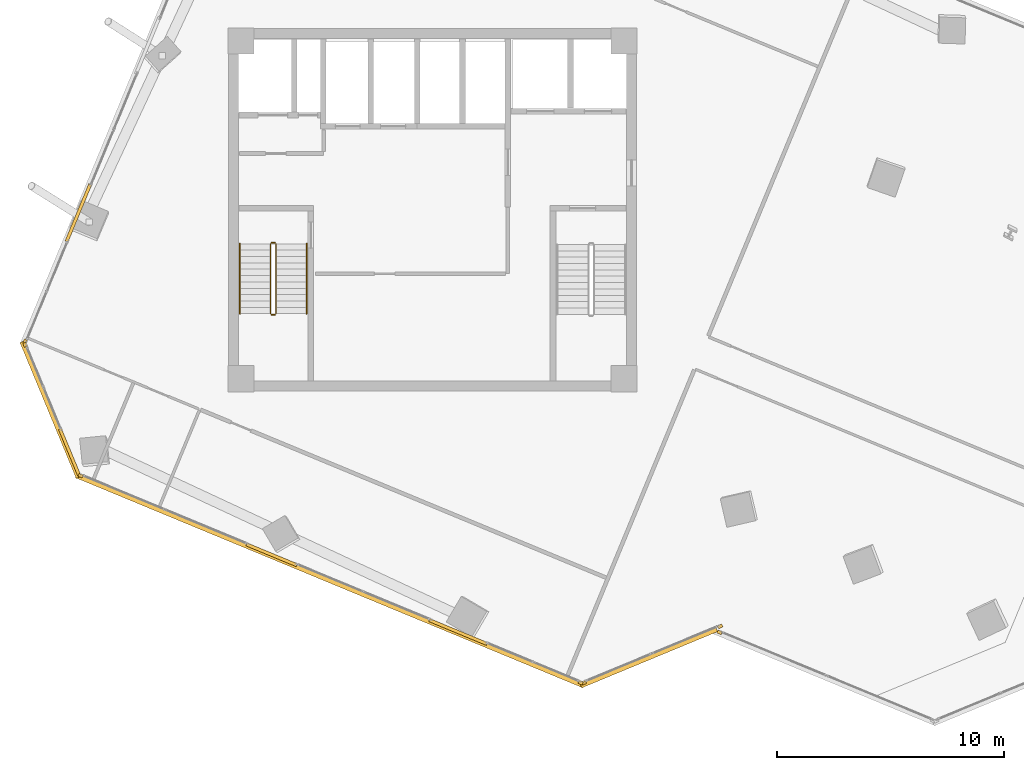
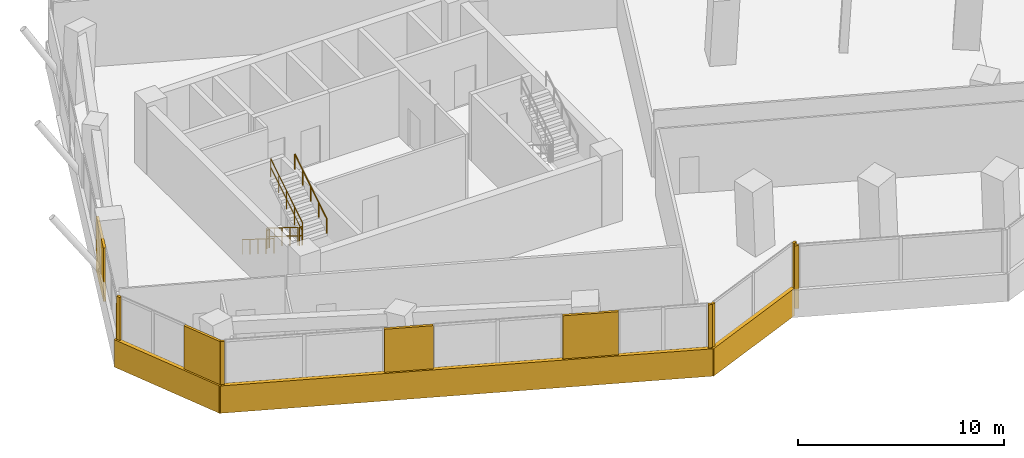
# One storey, part 19 of 22: 14 coverings, 6 railings.
"""IFC4 building model written with IfcOpenShell, lengths in metres."""

from ifc_helpers import new_model, si_unit, direction, frame, origin, origin_2d, place, context, subcontext, project, spatial, rectangle, circle, extrude, source, transform, mapped, material, layer, layer_set, type_object, element, save


model = new_model("IFC4")

# Units and contexts
model_context = context("Model", 3, precision=1e-05, world=origin(), true_north=direction((0.0, 1.0)))
body_context = subcontext(model_context, "Body", "Model", "MODEL_VIEW")
ifc_project = project(units=[si_unit("LENGTHUNIT", "METRE"), si_unit("AREAUNIT", "SQUARE_METRE"), si_unit("VOLUMEUNIT", "CUBIC_METRE"), si_unit("PLANEANGLEUNIT", "RADIAN"), si_unit("MASSUNIT", "GRAM", prefix="KILO")], contexts=[model_context])

# Site, building, storey
site_placement = place(None, origin())
site = spatial("IfcSite", under=ifc_project, at=site_placement, CompositionType="ELEMENT")
building_placement = place(site_placement, origin())
building = spatial("IfcBuilding", under=site, at=building_placement, Name="Torre Montelarca", CompositionType="ELEMENT")
storey_placement = place(building_placement, frame((0.0, 0.0, 149.800048828125)))
storey = spatial("IfcBuildingStorey", under=building, at=storey_placement, Name="L33", CompositionType="ELEMENT", Elevation=149.800048828125)

# Railings
ifc_material_1 = material(Name="Powder-coated steel ASTM A500 Grade C", Category="steel")
railing_type_1 = type_object("IfcRailingType", Name="RL-GUARD-1100", PredefinedType="BALUSTRADE", material=ifc_material_1)
railing_1_placement = place(storey_placement, frame((10.85009765625, 30.5, 0.175048828125)))
element("IfcRailing", 1, at=railing_1_placement, inside=storey, type_object=railing_type_1, Name="L33 ST1 stair guard 1", PredefinedType="BALUSTRADE", context=body_context, shape_type="SweptSolid", body=[
    extrude(circle(Radius=0.02392578125, at=origin_2d()), frame((0.0, 0.0, 1.076171875), z_axis=(0.0, -0.848028513186, 0.529950602248), x_axis=(1.0, 0.0, 0.0)), (0.0, 0.0, 1.0), 3.632080078125),
    extrude(circle(Radius=0.02099609375, at=origin_2d()), frame((0.0, 0.0, 0.572021484375), z_axis=(0.0, -0.848028513186, 0.529950602248), x_axis=(1.0, 0.0, 0.0)), (0.0, 0.0, 1.0), 3.632080078125),
    extrude(circle(Radius=0.02099609375, at=origin_2d()), origin(), (0.0, 0.0, 1.0), 1.052001953125),
    extrude(circle(Radius=0.02099609375, at=origin_2d()), frame((0.0, -0.77001953125, 0.481201171875)), (0.0, 0.0, 1.0), 1.052001953125),
    extrude(circle(Radius=0.02099609375, at=origin_2d()), frame((0.0, -1.5400390625, 0.96240234375)), (0.0, 0.0, 1.0), 1.052001953125),
    extrude(circle(Radius=0.02099609375, at=origin_2d()), frame((0.0, -2.31005859375, 1.443603515625)), (0.0, 0.0, 1.0), 1.052001953125),
    extrude(circle(Radius=0.02099609375, at=origin_2d()), frame((0.0, -3.080078125, 1.9248046875)), (0.0, 0.0, 1.0), 1.052001953125),
])
railing_2_placement = place(storey_placement, frame((10.89990234375, 27.3701171875, 2.099853515625)))
element("IfcRailing", 2, at=railing_2_placement, inside=storey, type_object=railing_type_1, Name="L33 ST1 stair guard 2", PredefinedType="BALUSTRADE", context=body_context, shape_type="SweptSolid", body=[
    extrude(circle(Radius=0.02392578125, at=origin_2d()), frame((0.0, 0.0, 1.076171875), z_axis=(1.0, 0.0, 0.0), x_axis=(0.0, 1.0, 0.0)), (0.0, 0.0, 1.0), 0.150146484375),
    extrude(circle(Radius=0.02099609375, at=origin_2d()), frame((0.0, 0.0, 0.572021484375), z_axis=(1.0, 0.0, 0.0), x_axis=(0.0, 1.0, 0.0)), (0.0, 0.0, 1.0), 0.150146484375),
    extrude(circle(Radius=0.02099609375, at=origin_2d()), origin(), (0.0, 0.0, 1.0), 1.052001953125),
    extrude(circle(Radius=0.02099609375, at=origin_2d()), frame((0.150146484375, 0.0, 0.0)), (0.0, 0.0, 1.0), 1.052001953125),
])
railing_3_placement = place(storey_placement, frame((11.10009765625, 27.419921875, 2.27490234375)))
element("IfcRailing", 3, at=railing_3_placement, inside=storey, type_object=railing_type_1, Name="L33 ST1 stair guard 3", PredefinedType="BALUSTRADE", context=body_context, shape_type="SweptSolid", body=[
    extrude(circle(Radius=0.02392578125, at=origin_2d()), frame((0.0, 0.0, 1.076171875), z_axis=(0.0, 0.847998304005, 0.529998940003), x_axis=(-1.0, 0.0, 0.0)), (0.0, 0.0, 1.0), 3.632080078125),
    extrude(circle(Radius=0.02099609375, at=origin_2d()), frame((0.0, 0.0, 0.572021484375), z_axis=(0.0, 0.847998304005, 0.529998940003), x_axis=(-1.0, 0.0, 0.0)), (0.0, 0.0, 1.0), 3.632080078125),
    extrude(circle(Radius=0.02099609375, at=origin_2d()), origin(), (0.0, 0.0, 1.0), 1.052001953125),
    extrude(circle(Radius=0.02099609375, at=origin_2d()), frame((0.0, 0.77001953125, 0.481201171875)), (0.0, 0.0, 1.0), 1.052001953125),
    extrude(circle(Radius=0.02099609375, at=origin_2d()), frame((0.0, 1.5400390625, 0.96240234375)), (0.0, 0.0, 1.0), 1.052001953125),
    extrude(circle(Radius=0.02099609375, at=origin_2d()), frame((0.0, 2.31005859375, 1.44384765625)), (0.0, 0.0, 1.0), 1.052001953125),
    extrude(circle(Radius=0.02099609375, at=origin_2d()), frame((0.0, 3.080078125, 1.925048828125)), (0.0, 0.0, 1.0), 1.052001953125),
])
railing_4_placement = place(storey_placement, frame((10.89990234375, 30.550048828125, 0.0)))
element("IfcRailing", 4, at=railing_4_placement, inside=storey, type_object=railing_type_1, Name="L33 ST1 stair guard 4", PredefinedType="BALUSTRADE", context=body_context, shape_type="SweptSolid", body=[
    extrude(circle(Radius=0.02392578125, at=origin_2d()), frame((0.0, 0.0, 1.076171875), z_axis=(1.0, 0.0, 0.0), x_axis=(0.0, 1.0, 0.0)), (0.0, 0.0, 1.0), 0.150146484375),
    extrude(circle(Radius=0.02099609375, at=origin_2d()), frame((0.0, 0.0, 0.572021484375), z_axis=(1.0, 0.0, 0.0), x_axis=(0.0, 1.0, 0.0)), (0.0, 0.0, 1.0), 0.150146484375),
    extrude(circle(Radius=0.02099609375, at=origin_2d()), origin(), (0.0, 0.0, 1.0), 1.052001953125),
    extrude(circle(Radius=0.02099609375, at=origin_2d()), frame((0.150146484375, 0.0, 0.0)), (0.0, 0.0, 1.0), 1.052001953125),
])
ifc_material_2 = material(Name="Brushed stainless steel AISI 316", Category="steel")
railing_type_2 = type_object("IfcRailingType", Name="RL-HANDRAIL-900", PredefinedType="HANDRAIL", material=ifc_material_2)
railing_5_placement = place(storey_placement, frame((9.5, 30.5, 0.175048828125)))
element("IfcRailing", 5, at=railing_5_placement, inside=storey, type_object=railing_type_2, Name="L33 ST1 stair handrail 1", PredefinedType="HANDRAIL", context=body_context, shape_type="SweptSolid", body=[
    extrude(circle(Radius=0.02392578125, at=origin_2d()), frame((0.0, 0.0, 0.8759765625), z_axis=(0.0, -0.848028513186, 0.529950602248), x_axis=(1.0, 0.0, 0.0)), (0.0, 0.0, 1.0), 3.632080078125),
    extrude(circle(Radius=0.02099609375, at=origin_2d()), origin(), (0.0, 0.0, 1.0), 0.851806640625),
    extrude(circle(Radius=0.02099609375, at=origin_2d()), frame((0.0, -0.77001953125, 0.481201171875)), (0.0, 0.0, 1.0), 0.851806640625),
    extrude(circle(Radius=0.02099609375, at=origin_2d()), frame((0.0, -1.5400390625, 0.96240234375)), (0.0, 0.0, 1.0), 0.851806640625),
    extrude(circle(Radius=0.02099609375, at=origin_2d()), frame((0.0, -2.31005859375, 1.443603515625)), (0.0, 0.0, 1.0), 0.851806640625),
    extrude(circle(Radius=0.02099609375, at=origin_2d()), frame((0.0, -3.080078125, 1.9248046875)), (0.0, 0.0, 1.0), 0.851806640625),
])
railing_6_placement = place(storey_placement, frame((12.449951171875, 27.419921875, 2.27490234375)))
element("IfcRailing", 6, at=railing_6_placement, inside=storey, type_object=railing_type_2, Name="L33 ST1 stair handrail 2", PredefinedType="HANDRAIL", context=body_context, shape_type="SweptSolid", body=[
    extrude(circle(Radius=0.02392578125, at=origin_2d()), frame((0.0, 0.0, 0.8759765625), z_axis=(0.0, 0.847998304005, 0.529998940003), x_axis=(-1.0, 0.0, 0.0)), (0.0, 0.0, 1.0), 3.632080078125),
    extrude(circle(Radius=0.02099609375, at=origin_2d()), origin(), (0.0, 0.0, 1.0), 0.851806640625),
    extrude(circle(Radius=0.02099609375, at=origin_2d()), frame((0.0, 0.77001953125, 0.481201171875)), (0.0, 0.0, 1.0), 0.851806640625),
    extrude(circle(Radius=0.02099609375, at=origin_2d()), frame((0.0, 1.5400390625, 0.96240234375)), (0.0, 0.0, 1.0), 0.851806640625),
    extrude(circle(Radius=0.02099609375, at=origin_2d()), frame((0.0, 2.31005859375, 1.44384765625)), (0.0, 0.0, 1.0), 0.851806640625),
    extrude(circle(Radius=0.02099609375, at=origin_2d()), frame((0.0, 3.080078125, 1.925048828125)), (0.0, 0.0, 1.0), 0.851806640625),
])

# Coverings
ifc_material_3 = material(Name="Bush-hammered warm white precast concrete C45/55", Category="concrete")
ifc_layer = layer(ifc_material_3, 0.139892578125, Name="Bush-hammered warm white precast concrete C45/55", Category="concrete")
ifc_layer_set = layer_set([ifc_layer], Name="Bush-hammered warm white precast concrete C45/55")
covering_type = type_object("IfcCoveringType", Name="COV-TRAY-CLAD", PredefinedType="CLADDING", material=ifc_layer_set)
shared_shape_1 = source(origin(), body_context, "Body", "SweptSolid", [
    extrude(rectangle(XDim=24.219970703125, YDim=0.219970703125, at=origin_2d()), origin(), (0.0, 0.0, 1.0), 1.6201171875),
])
covering_1_placement = place(storey_placement, frame((13.484130859375, 15.6533203125, -0.4501953125), z_axis=(0.0, 0.0, 1.0), x_axis=(0.923878196688, -0.382686657311, 0.0)))
element("IfcCovering", 7, at=covering_1_placement, inside=storey, type_object=covering_type, Name="L33 Architectural White Spandrel Tray Band TRYBOT-01", PredefinedType="CLADDING", context=body_context, shape_type="MappedRepresentation", body=[
    mapped(shared_shape_1, transform((0.0, 0.0, 0.0), scale=1.0)),
])
shared_shape_2 = source(origin(), body_context, "Body", "SweptSolid", [
    extrude(rectangle(XDim=6.48388671875, YDim=0.219970703125, at=origin_2d()), origin(), (0.0, 0.0, 1.0), 1.6201171875),
])
for number, where, z_axis, x_axis, name in (
    (8, (27.53369140625, 12.259521484375, -0.4501953125), (0.0, 0.0, 1.0), (0.923880200418, 0.382681819891, 0.0), "L33 Architectural White Spandrel Tray Band TRYBOT-02"),
    (9, (1.14990234375, 23.18798828125, -0.4501953125), (0.0, 0.0, 1.0), (0.382688269782, -0.923877528773, 0.0), "L33 Architectural White Spandrel Tray Band TRYBOT-11"),
):
    element("IfcCovering", number, at=place(storey_placement, frame(where, z_axis=z_axis, x_axis=x_axis)), inside=storey, type_object=covering_type, Name=name, PredefinedType="CLADDING", context=body_context, shape_type="MappedRepresentation", body=[
        mapped(shared_shape_2, transform((0.0, 0.0, 0.0), scale=1.0)),
    ])
shared_shape_3 = source(origin(), body_context, "Body", "SweptSolid", [
    extrude(rectangle(XDim=0.199951171875, YDim=0.139892578125, at=origin_2d()), origin(), (0.0, 0.0, 1.0), 3.719970703125),
])
for number, where, z_axis, x_axis, name in (
    (10, (2.4814453125, 20.275634765625, 0.0), (0.0, 0.0, 1.0), (0.923878196688, -0.382686657311, 0.0), "L33 Architectural Column Pier Cladding E01-1"),
    (11, (24.53271484375, 11.1416015625, 0.0), (0.0, 0.0, 1.0), (0.923878196688, -0.382686657311, 0.0), "L33 Architectural Column Pier Cladding E01-4"),
    (12, (24.677978515625, 11.1416015625, 0.0), (0.0, 0.0, 1.0), (0.923882204123, 0.38267698246, 0.0), "L33 Architectural Column Pier Cladding E02-1"),
    (13, (30.683349609375, 13.62890625, 0.0), (0.0, 0.0, 1.0), (0.923882204123, 0.38267698246, 0.0), "L33 Architectural Column Pier Cladding E02-2"),
    (14, (30.65869140625, 13.36669921875, 0.0), (0.0, 0.0, 1.0), (0.923882872019, -0.382675369981, 0.0), "L33 Architectural Column Pier Cladding E04-1"),
    (15, (0.031982421875, 26.043701171875, 0.0), (0.0, 0.0, 1.0), (0.382688269782, -0.923877528773, 0.0), "L33 Architectural Column Pier Cladding E11-1"),
):
    element("IfcCovering", number, at=place(storey_placement, frame(where, z_axis=z_axis, x_axis=x_axis)), inside=storey, type_object=covering_type, Name=name, PredefinedType="CLADDING", context=body_context, shape_type="MappedRepresentation", body=[
        mapped(shared_shape_3, transform((0.0, 0.0, 0.0), scale=1.0)),
    ])
shared_shape_4 = source(origin(), body_context, "Body", "SweptSolid", [
    extrude(rectangle(XDim=2.396240234375, YDim=0.139892578125, at=origin_2d()), origin(), (0.0, 0.0, 1.0), 3.719970703125),
])
covering_2_placement = place(storey_placement, frame((10.904052734375, 16.786865234375, 0.0), z_axis=(0.0, 0.0, 1.0), x_axis=(0.923878196688, -0.382686657311, 0.0)))
element("IfcCovering", 16, at=covering_2_placement, inside=storey, type_object=covering_type, Name="L33 Architectural Column Pier Cladding E01-2", PredefinedType="CLADDING", context=body_context, shape_type="MappedRepresentation", body=[
    mapped(shared_shape_4, transform((0.0, 0.0, 0.0), scale=1.0)),
])
shared_shape_5 = source(origin(), body_context, "Body", "SweptSolid", [
    extrude(rectangle(XDim=2.739013671875, YDim=0.139892578125, at=origin_2d()), origin(), (0.0, 0.0, 1.0), 3.719970703125),
])
covering_3_placement = place(storey_placement, frame((19.1279296875, 13.38037109375, 0.0), z_axis=(0.0, 0.0, 1.0), x_axis=(0.923878196688, -0.382686657311, 0.0)))
element("IfcCovering", 17, at=covering_3_placement, inside=storey, type_object=covering_type, Name="L33 Architectural Column Pier Cladding E01-3", PredefinedType="CLADDING", context=body_context, shape_type="MappedRepresentation", body=[
    mapped(shared_shape_5, transform((0.0, 0.0, 0.0), scale=1.0)),
])
shared_shape_6 = source(origin(), body_context, "Body", "SweptSolid", [
    extrude(rectangle(XDim=0.199951171875, YDim=0.139892578125, at=origin_2d()), origin(), (0.0, 0.0, 1.0), 3.175048828125),
])
covering_4_placement = place(storey_placement, frame((0.031982421875, 26.18896484375, 0.0), z_axis=(0.0, 0.0, 1.0), x_axis=(-0.382680207415, -0.923880868323, 0.0)))
element("IfcCovering", 18, at=covering_4_placement, inside=storey, type_object=covering_type, Name="L33 Architectural Column Pier Cladding E10-5", PredefinedType="CLADDING", context=body_context, shape_type="MappedRepresentation", body=[
    mapped(shared_shape_6, transform((0.0, 0.0, 0.0), scale=1.0)),
])
shared_shape_7 = source(origin(), body_context, "Body", "SweptSolid", [
    extrude(rectangle(XDim=2.733154296875, YDim=0.139892578125, at=origin_2d()), origin(), (0.0, 0.0, 1.0), 3.175048828125),
])
covering_5_placement = place(storey_placement, frame((2.3818359375, 31.86181640625, 0.0), z_axis=(0.0, 0.0, 1.0), x_axis=(-0.382680207415, -0.923880868323, 0.0)))
element("IfcCovering", 19, at=covering_5_placement, inside=storey, type_object=covering_type, Name="L33 Architectural Column Pier Cladding E10-4", PredefinedType="CLADDING", context=body_context, shape_type="MappedRepresentation", body=[
    mapped(shared_shape_7, transform((0.0, 0.0, 0.0), scale=1.0)),
])
shared_shape_8 = source(origin(), body_context, "Body", "SweptSolid", [
    extrude(rectangle(XDim=2.220458984375, YDim=0.139892578125, at=origin_2d()), origin(), (0.0, 0.0, 1.0), 3.719970703125),
])
covering_6_placement = place(storey_placement, frame((1.9921875, 21.3115234375, 0.0), z_axis=(0.0, 0.0, 1.0), x_axis=(0.382688269782, -0.923877528773, 0.0)))
element("IfcCovering", 20, at=covering_6_placement, inside=storey, type_object=covering_type, Name="L33 Architectural Column Pier Cladding E11-2", PredefinedType="CLADDING", context=body_context, shape_type="MappedRepresentation", body=[
    mapped(shared_shape_8, transform((0.0, 0.0, 0.0), scale=1.0)),
])

save(model, "model.ifc")
